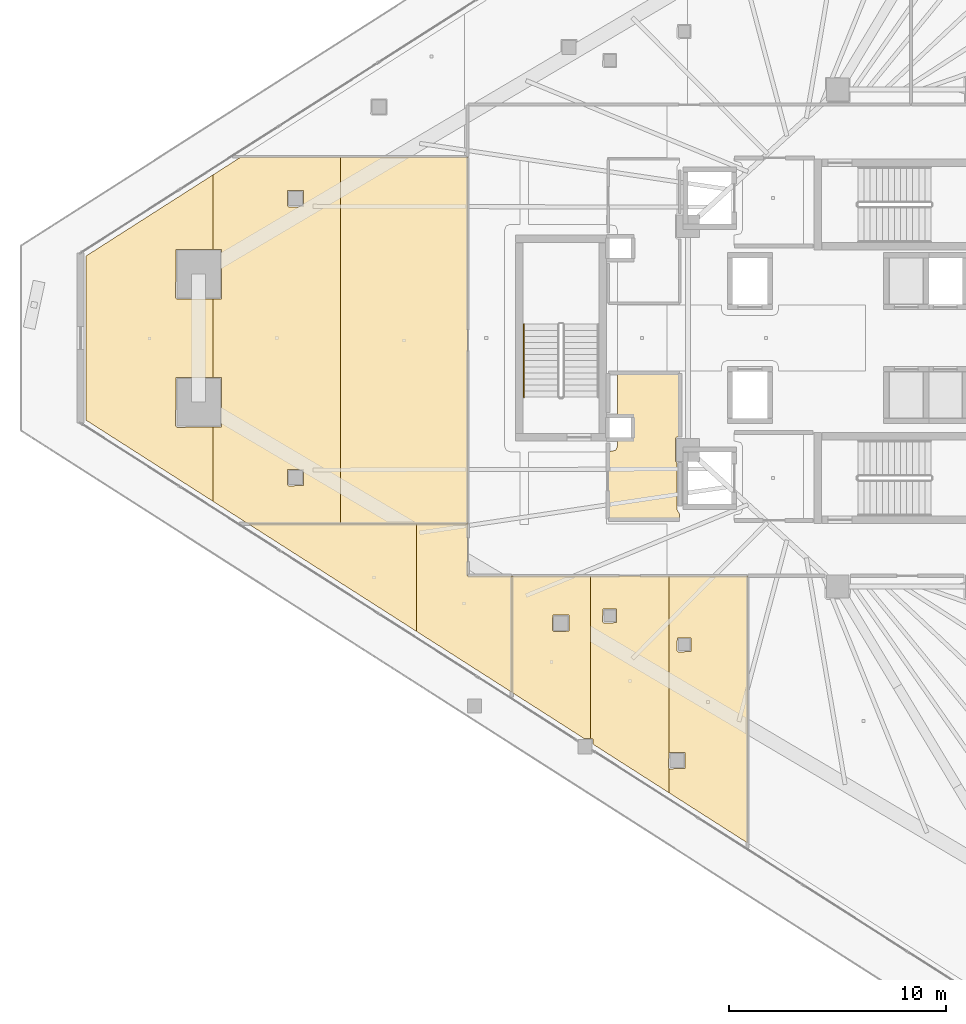
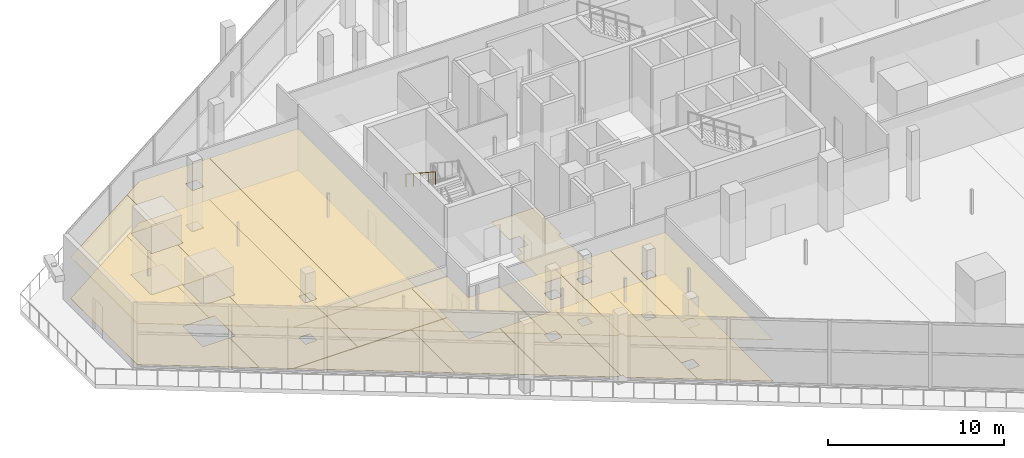
# One storey, part 33 of 42: 17 coverings, 1 railing.
"""IFC4 building model written with IfcOpenShell, lengths in metres."""

from ifc_helpers import new_model, si_unit, direction, frame, origin, origin_2d, place, context, subcontext, project, spatial, polyline, circle, outline, extrude, material, layer, layer_set, type_object, element, save


model = new_model("IFC4")

# Units and contexts
model_context = context("Model", 3, precision=1e-05, world=origin(), true_north=direction((0.0, 1.0)))
body_context = subcontext(model_context, "Body", "Model", "MODEL_VIEW")
ifc_project = project(units=[si_unit("LENGTHUNIT", "METRE"), si_unit("AREAUNIT", "SQUARE_METRE"), si_unit("VOLUMEUNIT", "CUBIC_METRE"), si_unit("PLANEANGLEUNIT", "RADIAN"), si_unit("MASSUNIT", "GRAM", prefix="KILO")], contexts=[model_context])

# Site, building, storey
site_placement = place(None, origin())
site = spatial("IfcSite", under=ifc_project, at=site_placement, CompositionType="ELEMENT")
building_placement = place(site_placement, origin())
building = spatial("IfcBuilding", under=site, at=building_placement, Name="Qorvath Tower", CompositionType="ELEMENT")
storey_placement = place(building_placement, frame((0.0, 0.0, 105.0)))
storey = spatial("IfcBuildingStorey", under=building, at=storey_placement, Name="L23", CompositionType="ELEMENT", Elevation=105.0)

# Coverings
ifc_material_1 = material(Name="Acoustic mineral fibre ceiling tile", Category="gypsum")
ifc_layer_1 = layer(ifc_material_1, 0.030029296875)
ifc_layer_set_1 = layer_set([ifc_layer_1], Name="COV-CEIL")
covering_type_1 = type_object("IfcCoveringType", Name="COV-CEIL", PredefinedType="CEILING", material=ifc_layer_set_1)
covering_1_placement = place(storey_placement, frame((0.0, 0.0, 2.85009765625)))
element("IfcCovering", 1, at=covering_1_placement, inside=storey, type_object=covering_type_1, Name="L23 Suspended Acoustic Ceiling 014", PredefinedType="CEILING", context=body_context, shape_type="SweptSolid", body=[
    extrude(outline(polyline([(-43.023193359375, -13.505126953125), (-43.023193359375, -8.554931640625), (-50.768310546875, -8.554931640625), (-43.023193359375, -13.505126953125)])), origin(), (0.0, 0.0, 1.0), 0.030029296875),
])
covering_2_placement = place(storey_placement, frame((0.0, 0.0, 2.85009765625)))
element("IfcCovering", 2, at=covering_2_placement, inside=storey, type_object=covering_type_1, Name="L23 Suspended Acoustic Ceiling 015", PredefinedType="CEILING", context=body_context, shape_type="SweptSolid", body=[
    extrude(outline(polyline([(-40.66162109375, -10.96142578125), (-40.6630859375, -8.554931640625), (-43.023193359375, -8.554931640625), (-43.023193359375, -13.505126953125), (-38.622314453125, -16.31787109375), (-38.622314453125, -10.962890625), (-40.66162109375, -10.96142578125)])), origin(), (0.0, 0.0, 1.0), 0.030029296875),
])
covering_3_placement = place(storey_placement, frame((0.0, 0.0, 2.85009765625)))
element("IfcCovering", 3, at=covering_3_placement, inside=storey, type_object=covering_type_1, Name="L23 Suspended Acoustic Ceiling 016", PredefinedType="CEILING", context=body_context, shape_type="SweptSolid", body=[
    extrude(outline(polyline([(-38.604248046875, -10.962890625), (-38.604248046875, -16.329345703125), (-35.29541015625, -18.4443359375), (-34.9921875, -18.457275390625), (-34.9921875, -10.962890625), (-38.604248046875, -10.962890625)]), holes=[polyline([(-36.749755859375, -13.46044921875), (-36.732177734375, -12.76806640625), (-35.997314453125, -12.76806640625), (-35.997314453125, -13.5029296875), (-36.689697265625, -13.5205078125), (-36.749755859375, -13.46044921875)])]), origin(), (0.0, 0.0, 1.0), 0.030029296875),
])
covering_4_placement = place(storey_placement, frame((0.0, 0.0, 2.85009765625)))
element("IfcCovering", 4, at=covering_4_placement, inside=storey, type_object=covering_type_1, Name="L23 Suspended Acoustic Ceiling 017", PredefinedType="CEILING", context=body_context, shape_type="SweptSolid", body=[
    extrude(outline(polyline([(-34.9921875, -10.962890625), (-34.9921875, -18.457275390625), (-34.88427734375, -18.4619140625), (-34.86669921875, -18.71826171875), (-31.380126953125, -20.946533203125), (-31.380126953125, -19.806396484375), (-31.401123046875, -19.785400390625), (-31.383544921875, -19.093017578125), (-31.380126953125, -19.093017578125), (-31.380126953125, -10.962890625), (-34.9921875, -10.962890625)]), holes=[polyline([(-34.439208984375, -13.0673828125), (-34.421630859375, -12.47509765625), (-33.786865234375, -12.47509765625), (-33.786865234375, -13.10986328125), (-34.379150390625, -13.12744140625), (-34.439208984375, -13.0673828125)])]), origin(), (0.0, 0.0, 1.0), 0.030029296875),
])
covering_5_placement = place(storey_placement, frame((0.0, 0.0, 2.85009765625)))
element("IfcCovering", 5, at=covering_5_placement, inside=storey, type_object=covering_type_1, Name="L23 Suspended Acoustic Ceiling 018", PredefinedType="CEILING", context=body_context, shape_type="SweptSolid", body=[
    extrude(outline(polyline([(-31.380126953125, -10.962890625), (-31.380126953125, -19.093017578125), (-30.648681640625, -19.093017578125), (-30.648681640625, -19.827880859375), (-31.341064453125, -19.845458984375), (-31.380126953125, -19.806396484375), (-31.380126953125, -20.946533203125), (-27.76806640625, -23.255126953125), (-27.76806640625, -10.962890625), (-31.380126953125, -10.962890625)]), holes=[polyline([(-31.01220703125, -14.3994140625), (-30.99462890625, -13.806884765625), (-30.35986328125, -13.806884765625), (-30.35986328125, -14.441650390625), (-30.9521484375, -14.459228515625), (-31.01220703125, -14.3994140625)])]), origin(), (0.0, 0.0, 1.0), 0.030029296875),
])
covering_6_placement = place(storey_placement, frame((0.0, 0.0, 2.85009765625)))
element("IfcCovering", 6, at=covering_6_placement, inside=storey, type_object=covering_type_1, Name="L23 Suspended Acoustic Ceiling 030", PredefinedType="CEILING", context=body_context, shape_type="SweptSolid", body=[
    extrude(outline(polyline([(-52.37890625, -7.525634765625), (-52.37890625, -4.096435546875), (-54.04931640625, -4.11083984375), (-54.109375, -4.05078125), (-54.091796875, -1.808349609375), (-52.37890625, -1.808349609375), (-52.37890625, 1.80517578125), (-54.04931640625, 1.790771484375), (-54.109375, 1.850830078125), (-54.091796875, 4.09326171875), (-52.37890625, 4.09326171875), (-52.37890625, 7.525634765625), (-58.23681640625, 3.78173828125), (-58.23681640625, -3.78173828125), (-52.37890625, -7.525634765625)])), origin(), (0.0, 0.0, 1.0), 0.030029296875),
])
covering_7_placement = place(storey_placement, frame((0.0, 0.0, 2.85009765625)))
element("IfcCovering", 7, at=covering_7_placement, inside=storey, type_object=covering_type_1, Name="L23 Suspended Acoustic Ceiling 031", PredefinedType="CEILING", context=body_context, shape_type="SweptSolid", body=[
    extrude(outline(polyline([(-46.52099609375, -8.537109375), (-46.52099609375, 8.3369140625), (-51.109375, 8.3369140625), (-52.37890625, 7.525634765625), (-52.37890625, 4.09326171875), (-52.007080078125, 4.09326171875), (-52.007080078125, 1.808349609375), (-52.37890625, 1.80517578125), (-52.37890625, -1.808349609375), (-52.007080078125, -1.808349609375), (-52.007080078125, -4.09326171875), (-52.37890625, -4.096435546875), (-52.37890625, -7.525634765625), (-50.796630859375, -8.537109375), (-46.52099609375, -8.537109375)]), holes=[polyline([(-48.96337890625, -6.74951171875), (-48.94580078125, -6.05712890625), (-48.2109375, -6.05712890625), (-48.2109375, -6.7919921875), (-48.9033203125, -6.8095703125), (-48.96337890625, -6.74951171875)]), polyline([(-48.96337890625, 6.099609375), (-48.94580078125, 6.7919921875), (-48.2109375, 6.7919921875), (-48.2109375, 6.05712890625), (-48.9033203125, 6.03955078125), (-48.96337890625, 6.099609375)])]), origin(), (0.0, 0.0, 1.0), 0.030029296875),
])
covering_8_placement = place(storey_placement, frame((0.0, 0.0, 2.85009765625)))
element("IfcCovering", 8, at=covering_8_placement, inside=storey, type_object=covering_type_1, Name="L23 Suspended Acoustic Ceiling 032", PredefinedType="CEILING", context=body_context, shape_type="SweptSolid", body=[
    extrude(outline(polyline([(-40.6630859375, 8.3369140625), (-46.52099609375, 8.3369140625), (-46.52099609375, -8.537109375), (-40.6630859375, -8.537109375), (-40.6630859375, 8.3369140625)])), origin(), (0.0, 0.0, 1.0), 0.030029296875),
])
ifc_material_2 = material(Name="Low-VOC modular carpet tile", Category="textile")
ifc_layer_2 = layer(ifc_material_2, 0.014892578125)
ifc_layer_set_2 = layer_set([ifc_layer_2], Name="COV-FLOOR-CPT")
covering_type_2 = type_object("IfcCoveringType", Name="COV-FLOOR-CPT", PredefinedType="FLOORING", material=ifc_layer_set_2)
covering_9_placement = place(storey_placement, origin())
element("IfcCovering", 9, at=covering_9_placement, inside=storey, type_object=covering_type_2, Name="L23 Floor Finish 004", PredefinedType="FLOORING", context=body_context, shape_type="SweptSolid", body=[
    extrude(outline(polyline([(-30.885009765625, -1.60498046875), (-33.760009765625, -1.60498046875), (-33.760009765625, -3.636962890625), (-33.08837890625, -3.638427734375), (-33.0869140625, -4.6279296875), (-33.760009765625, -4.633056640625), (-33.760009765625, -4.989990234375), (-33.833251953125, -5.166748046875), (-34.175048828125, -5.239990234375), (-34.175048828125, -8.344970703125), (-30.885009765625, -8.344970703125), (-30.885009765625, -8.108154296875), (-31.010009765625, -7.909912109375), (-31.010009765625, -5.735107421875), (-31.0849609375, -5.675048828125), (-31.0849609375, -4.625), (-31.02490234375, -4.56494140625), (-30.885009765625, -4.56494140625), (-30.885009765625, -1.60498046875)])), origin(), (0.0, 0.0, 1.0), 0.014892578125),
])
covering_10_placement = place(storey_placement, origin())
element("IfcCovering", 10, at=covering_10_placement, inside=storey, type_object=covering_type_2, Name="L23 Floor Finish 014", PredefinedType="FLOORING", context=body_context, shape_type="SweptSolid", body=[
    extrude(outline(polyline([(-43.023193359375, -13.505126953125), (-43.023193359375, -8.554931640625), (-50.768310546875, -8.554931640625), (-43.023193359375, -13.505126953125)])), origin(), (0.0, 0.0, 1.0), 0.014892578125),
])
covering_11_placement = place(storey_placement, origin())
element("IfcCovering", 11, at=covering_11_placement, inside=storey, type_object=covering_type_2, Name="L23 Floor Finish 015", PredefinedType="FLOORING", context=body_context, shape_type="SweptSolid", body=[
    extrude(outline(polyline([(-40.66162109375, -10.96142578125), (-40.6630859375, -8.554931640625), (-43.023193359375, -8.554931640625), (-43.023193359375, -13.505126953125), (-38.622314453125, -16.31787109375), (-38.622314453125, -10.962890625), (-40.66162109375, -10.96142578125)])), origin(), (0.0, 0.0, 1.0), 0.014892578125),
])
covering_12_placement = place(storey_placement, origin())
element("IfcCovering", 12, at=covering_12_placement, inside=storey, type_object=covering_type_2, Name="L23 Floor Finish 016", PredefinedType="FLOORING", context=body_context, shape_type="SweptSolid", body=[
    extrude(outline(polyline([(-38.604248046875, -10.962890625), (-38.604248046875, -16.329345703125), (-35.29541015625, -18.4443359375), (-34.9921875, -18.457275390625), (-34.9921875, -10.962890625), (-38.604248046875, -10.962890625)]), holes=[polyline([(-36.749755859375, -13.46044921875), (-36.732177734375, -12.76806640625), (-35.997314453125, -12.76806640625), (-35.997314453125, -13.5029296875), (-36.689697265625, -13.5205078125), (-36.749755859375, -13.46044921875)])]), origin(), (0.0, 0.0, 1.0), 0.014892578125),
])
covering_13_placement = place(storey_placement, origin())
element("IfcCovering", 13, at=covering_13_placement, inside=storey, type_object=covering_type_2, Name="L23 Floor Finish 017", PredefinedType="FLOORING", context=body_context, shape_type="SweptSolid", body=[
    extrude(outline(polyline([(-34.9921875, -10.962890625), (-34.9921875, -18.457275390625), (-34.88427734375, -18.4619140625), (-34.86669921875, -18.71826171875), (-31.380126953125, -20.946533203125), (-31.380126953125, -19.806396484375), (-31.401123046875, -19.785400390625), (-31.383544921875, -19.093017578125), (-31.380126953125, -19.093017578125), (-31.380126953125, -10.962890625), (-34.9921875, -10.962890625)]), holes=[polyline([(-34.439208984375, -13.0673828125), (-34.421630859375, -12.47509765625), (-33.786865234375, -12.47509765625), (-33.786865234375, -13.10986328125), (-34.379150390625, -13.12744140625), (-34.439208984375, -13.0673828125)])]), origin(), (0.0, 0.0, 1.0), 0.014892578125),
])
covering_14_placement = place(storey_placement, origin())
element("IfcCovering", 14, at=covering_14_placement, inside=storey, type_object=covering_type_2, Name="L23 Floor Finish 018", PredefinedType="FLOORING", context=body_context, shape_type="SweptSolid", body=[
    extrude(outline(polyline([(-31.380126953125, -10.962890625), (-31.380126953125, -19.093017578125), (-30.648681640625, -19.093017578125), (-30.648681640625, -19.827880859375), (-31.341064453125, -19.845458984375), (-31.380126953125, -19.806396484375), (-31.380126953125, -20.946533203125), (-27.76806640625, -23.255126953125), (-27.76806640625, -10.962890625), (-31.380126953125, -10.962890625)]), holes=[polyline([(-31.01220703125, -14.3994140625), (-30.99462890625, -13.806884765625), (-30.35986328125, -13.806884765625), (-30.35986328125, -14.441650390625), (-30.9521484375, -14.459228515625), (-31.01220703125, -14.3994140625)])]), origin(), (0.0, 0.0, 1.0), 0.014892578125),
])
covering_15_placement = place(storey_placement, origin())
element("IfcCovering", 15, at=covering_15_placement, inside=storey, type_object=covering_type_2, Name="L23 Floor Finish 030", PredefinedType="FLOORING", context=body_context, shape_type="SweptSolid", body=[
    extrude(outline(polyline([(-52.37890625, -7.525634765625), (-52.37890625, -4.096435546875), (-54.04931640625, -4.11083984375), (-54.109375, -4.05078125), (-54.091796875, -1.808349609375), (-52.37890625, -1.808349609375), (-52.37890625, 1.80517578125), (-54.04931640625, 1.790771484375), (-54.109375, 1.850830078125), (-54.091796875, 4.09326171875), (-52.37890625, 4.09326171875), (-52.37890625, 7.525634765625), (-58.23681640625, 3.78173828125), (-58.23681640625, -3.78173828125), (-52.37890625, -7.525634765625)])), origin(), (0.0, 0.0, 1.0), 0.014892578125),
])
covering_16_placement = place(storey_placement, origin())
element("IfcCovering", 16, at=covering_16_placement, inside=storey, type_object=covering_type_2, Name="L23 Floor Finish 031", PredefinedType="FLOORING", context=body_context, shape_type="SweptSolid", body=[
    extrude(outline(polyline([(-46.52099609375, -8.537109375), (-46.52099609375, 8.3369140625), (-51.109375, 8.3369140625), (-52.37890625, 7.525634765625), (-52.37890625, 4.09326171875), (-52.007080078125, 4.09326171875), (-52.007080078125, 1.808349609375), (-52.37890625, 1.80517578125), (-52.37890625, -1.808349609375), (-52.007080078125, -1.808349609375), (-52.007080078125, -4.09326171875), (-52.37890625, -4.096435546875), (-52.37890625, -7.525634765625), (-50.796630859375, -8.537109375), (-46.52099609375, -8.537109375)]), holes=[polyline([(-48.96337890625, -6.74951171875), (-48.94580078125, -6.05712890625), (-48.2109375, -6.05712890625), (-48.2109375, -6.7919921875), (-48.9033203125, -6.8095703125), (-48.96337890625, -6.74951171875)]), polyline([(-48.96337890625, 6.099609375), (-48.94580078125, 6.7919921875), (-48.2109375, 6.7919921875), (-48.2109375, 6.05712890625), (-48.9033203125, 6.03955078125), (-48.96337890625, 6.099609375)])]), origin(), (0.0, 0.0, 1.0), 0.014892578125),
])
covering_17_placement = place(storey_placement, origin())
element("IfcCovering", 17, at=covering_17_placement, inside=storey, type_object=covering_type_2, Name="L23 Floor Finish 032", PredefinedType="FLOORING", context=body_context, shape_type="SweptSolid", body=[
    extrude(outline(polyline([(-40.6630859375, 8.3369140625), (-46.52099609375, 8.3369140625), (-46.52099609375, -8.537109375), (-40.6630859375, -8.537109375), (-40.6630859375, 8.3369140625)])), origin(), (0.0, 0.0, 1.0), 0.014892578125),
])

# Railing
ifc_material_3 = material(Name="Brushed stainless steel AISI 304", Category="steel")
railing_type = type_object("IfcRailingType", Name="RL-STR-HND", PredefinedType="HANDRAIL", material=ifc_material_3)
railing_placement = place(storey_placement, frame((-38.06005859375, 0.639892578125, 2.584716796875)))
element("IfcRailing", 18, at=railing_placement, inside=storey, type_object=railing_type, Name="L23 TS3 stair handrail 2", PredefinedType="HANDRAIL", context=body_context, shape_type="SweptSolid", body=[
    extrude(circle(Radius=0.02392578125, at=origin_2d()), frame((0.0, 0.0, 0.8759765625), z_axis=(0.0, -0.834858096282, 0.550465220583), x_axis=(1.0, 0.0, 0.0)), (0.0, 0.0, 1.0), 4.0244140625),
    extrude(circle(Radius=0.02099609375, at=origin_2d()), origin(), (0.0, 0.0, 1.0), 0.851806640625),
    extrude(circle(Radius=0.02099609375, at=origin_2d()), frame((0.0, -0.83984375, 0.5537109375)), (0.0, 0.0, 1.0), 0.851806640625),
    extrude(circle(Radius=0.02099609375, at=origin_2d()), frame((0.0, -1.679931640625, 1.107666015625)), (0.0, 0.0, 1.0), 0.851806640625),
    extrude(circle(Radius=0.02099609375, at=origin_2d()), frame((0.0, -2.52001953125, 1.66162109375)), (0.0, 0.0, 1.0), 0.851806640625),
    extrude(circle(Radius=0.02099609375, at=origin_2d()), frame((0.0, -3.35986328125, 2.21533203125)), (0.0, 0.0, 1.0), 0.851806640625),
])

save(model, "model.ifc")
